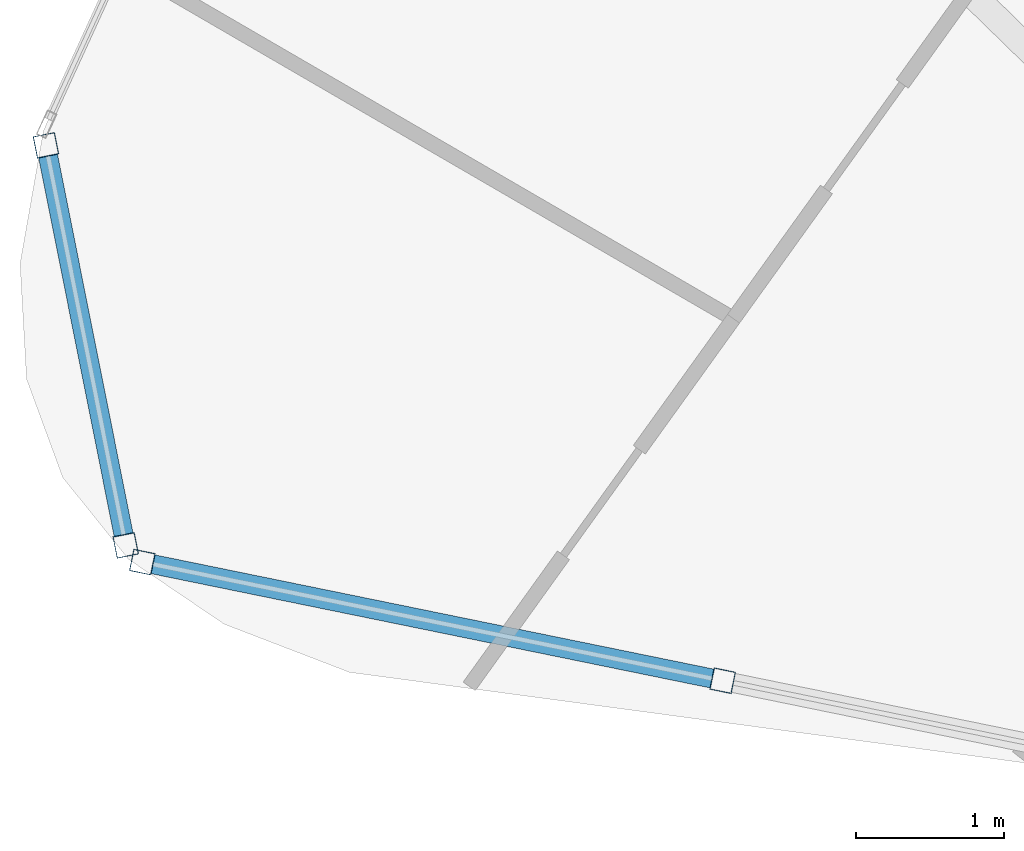
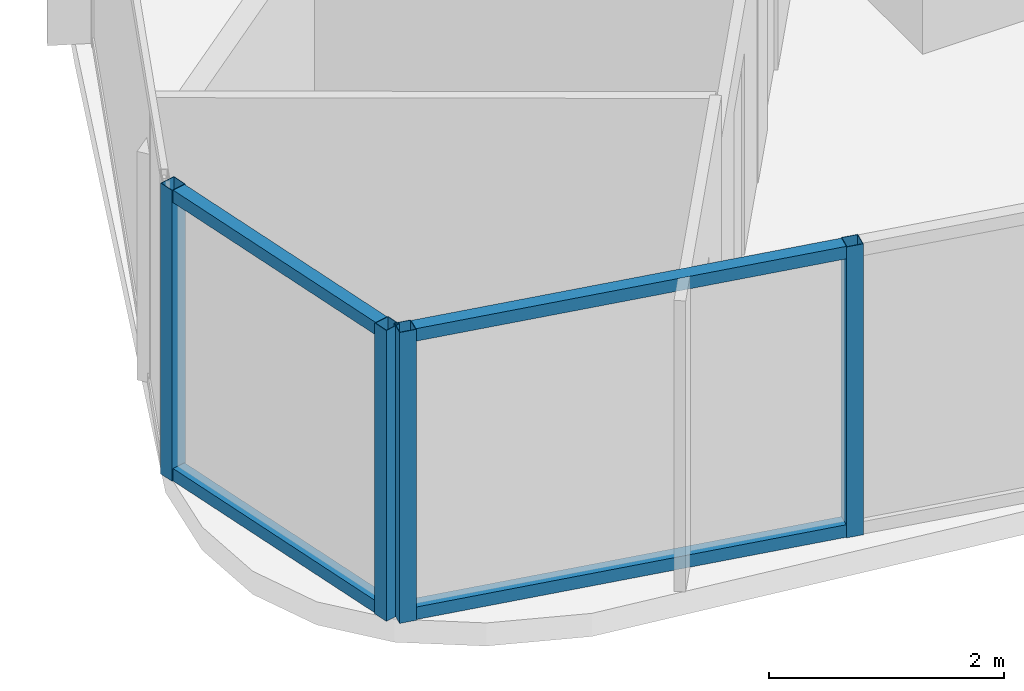
# One storey, part 2 of 38: 8 members, 2 elements without a shape of their own.
"""IFC4 building model written with IfcOpenShell, lengths in metres."""

from ifc_helpers import new_model, si_unit, direction, frame, origin, origin_2d, place, context, subcontext, project, spatial, hollow_rectangle, extrude, material, layer, layer_set, material_profile, profile_set, type_object, element, aggregate, save


model = new_model("IFC4")

# Units and contexts
model_context = context("Model", 3, precision=1e-05, world=origin(), true_north=direction((0.0, 1.0)))
body_context = subcontext(model_context, "Body", "Model", "MODEL_VIEW")
ifc_project = project(units=[si_unit("LENGTHUNIT", "METRE"), si_unit("AREAUNIT", "SQUARE_METRE"), si_unit("VOLUMEUNIT", "CUBIC_METRE"), si_unit("PLANEANGLEUNIT", "RADIAN"), si_unit("MASSUNIT", "GRAM", prefix="KILO")], contexts=[model_context])

# Site, building, storey
site_placement = place(None, origin())
site = spatial("IfcSite", under=ifc_project, at=site_placement, CompositionType="ELEMENT")
building_placement = place(site_placement, origin())
building = spatial("IfcBuilding", under=site, at=building_placement, Name="Orvanel Arch Residences", CompositionType="ELEMENT")
storey_placement = place(building_placement, frame((0.0, 0.0, 56.60009765625)))
storey = spatial("IfcBuildingStorey", under=building, at=storey_placement, Name="L15", CompositionType="ELEMENT", Elevation=56.60009765625)

# Curtain wall, members
ifc_material = material(Name="Bronze-anodised aluminium AA6063-T6", Category="aluminium")
ifc_layer = layer(ifc_material, 0.18994140625)
ifc_layer_set = layer_set([ifc_layer], Name="Bronze-anodised aluminium AA6063-T6")
curtain_wall_type = type_object("IfcCurtainWallType", Name="CW5-CRN-SYS", PredefinedType="NOTDEFINED", material=ifc_layer_set)
curtain_wall_1_placement = place(storey_placement, origin())
curtain_wall_1 = element("IfcCurtainWall", 1, at=curtain_wall_1_placement, inside=storey, type_object=curtain_wall_type, Name="L15 CW5-CRN-SYS Unitised Curtain Wall", PredefinedType="NOTDEFINED")
ifc_material_profile_1 = material_profile(ifc_material, hollow_rectangle(XDim=0.14990234375, YDim=0.14990234375, WallThickness=0.0048828125, at=origin_2d()), Name="ALU150x150x5")
ifc_profile_set_1 = profile_set([ifc_material_profile_1], Name="Bronze-anodised aluminium AA6063-T6")
member_type_1 = type_object("IfcMemberType", Name="MUL-150x150", PredefinedType="MULLION", material=ifc_profile_set_1)
member_1_placement = place(storey_placement, frame((4.765625, 7.345458984375, 0.0), z_axis=(0.0, 0.0, 1.0), x_axis=(0.980699441687, 0.19552136731, 0.0)))
member_1 = element("IfcMember", 2, at=member_1_placement, type_object=member_type_1, Name="CW-S5 mullion 1", PredefinedType="MULLION", context=body_context, shape_type="SweptSolid", body=[
    extrude(hollow_rectangle(XDim=0.14990234375, YDim=0.14990234375, WallThickness=0.0048828125, at=origin_2d()), origin(), (0.0, 0.0, 1.0), 3.02001953125),
])
member_2_placement = place(storey_placement, frame((5.305419921875, 4.638671875, 0.0), z_axis=(0.0, 0.0, 1.0), x_axis=(0.980699441687, 0.19552136731, 0.0)))
member_2 = element("IfcMember", 3, at=member_2_placement, type_object=member_type_1, Name="CW-S5 mullion 2", PredefinedType="MULLION", context=body_context, shape_type="SweptSolid", body=[
    extrude(hollow_rectangle(XDim=0.14990234375, YDim=0.14990234375, WallThickness=0.0048828125, at=origin_2d()), origin(), (0.0, 0.0, 1.0), 3.02001953125),
])

curtain_wall_2_placement = place(storey_placement, origin())
curtain_wall_2 = element("IfcCurtainWall", 4, at=curtain_wall_2_placement, inside=storey, type_object=curtain_wall_type, Name="L15 CW5-CRN-SYS Unitised Curtain Wall", PredefinedType="NOTDEFINED")
member_3_placement = place(storey_placement, frame((5.41748046875, 4.52587890625, 0.0), z_axis=(0.0, 0.0, 1.0), x_axis=(0.200235937609, 0.979747706958, 0.0)))
member_3 = element("IfcMember", 5, at=member_3_placement, type_object=member_type_1, Name="CW-S5 mullion 1", PredefinedType="MULLION", context=body_context, shape_type="SweptSolid", body=[
    extrude(hollow_rectangle(XDim=0.14990234375, YDim=0.14990234375, WallThickness=0.0048828125, at=origin_2d()), origin(), (0.0, 0.0, 1.0), 3.02001953125),
])
member_4_placement = place(storey_placement, frame((9.343994140625, 3.723388671875, 0.0), z_axis=(0.0, 0.0, 1.0), x_axis=(0.200235937609, 0.979747706958, 0.0)))
member_4 = element("IfcMember", 6, at=member_4_placement, type_object=member_type_1, Name="CW-S5 mullion 2", PredefinedType="MULLION", context=body_context, shape_type="SweptSolid", body=[
    extrude(hollow_rectangle(XDim=0.14990234375, YDim=0.14990234375, WallThickness=0.0048828125, at=origin_2d()), origin(), (0.0, 0.0, 1.0), 3.02001953125),
])

# Member
ifc_material_profile_2 = material_profile(ifc_material, hollow_rectangle(XDim=0.1298828125, YDim=0.1298828125, WallThickness=0.00439453125, at=origin_2d()), Name="ALU130x130x4.5")
ifc_profile_set_2 = profile_set([ifc_material_profile_2], Name="Bronze-anodised aluminium AA6063-T6")
member_type_2 = type_object("IfcMemberType", Name="TRN-130x130", PredefinedType="USERDEFINED", material=ifc_profile_set_2)
member_5_placement = place(storey_placement, frame((4.7802734375, 7.27197265625, 0.06494140625), z_axis=(0.195576494764, -0.980688449354, 0.0), x_axis=(0.980688449354, 0.195576494764, 0.0)))
member_5 = element("IfcMember", 7, at=member_5_placement, type_object=member_type_2, Name="CW-S5 transom 1.1", ObjectType="TRANSOM", PredefinedType="USERDEFINED", context=body_context, shape_type="SweptSolid", body=[
    extrude(hollow_rectangle(XDim=0.1298828125, YDim=0.1298828125, WallThickness=0.00439453125, at=origin_2d()), origin(), (0.0, 0.0, 1.0), 2.610107421875),
])

member_6_placement = place(storey_placement, frame((4.7802734375, 7.27197265625, 2.954833984375), z_axis=(0.195576494764, -0.980688449354, 0.0), x_axis=(0.980688449354, 0.195576494764, 0.0)))
member_6 = element("IfcMember", 8, at=member_6_placement, type_object=member_type_2, Name="CW-S5 transom 1.2", ObjectType="TRANSOM", PredefinedType="USERDEFINED", context=body_context, shape_type="SweptSolid", body=[
    extrude(hollow_rectangle(XDim=0.1298828125, YDim=0.1298828125, WallThickness=0.00439453125, at=origin_2d()), origin(), (0.0, 0.0, 1.0), 2.610107421875),
])

aggregate(curtain_wall_1, [member_1, member_2, member_5, member_6])

member_7_placement = place(storey_placement, frame((5.490966796875, 4.510986328125, 0.06494140625), z_axis=(0.97974683009, -0.200240228048, 0.0), x_axis=(0.200240228048, 0.97974683009, 0.0)))
member_7 = element("IfcMember", 9, at=member_7_placement, type_object=member_type_2, Name="CW-S5 transom 1.1", ObjectType="TRANSOM", PredefinedType="USERDEFINED", context=body_context, shape_type="SweptSolid", body=[
    extrude(hollow_rectangle(XDim=0.1298828125, YDim=0.1298828125, WallThickness=0.00439453125, at=origin_2d()), origin(), (0.0, 0.0, 1.0), 3.857666015625),
])

member_8_placement = place(storey_placement, frame((5.490966796875, 4.510986328125, 2.954833984375), z_axis=(0.97974683009, -0.200240228048, 0.0), x_axis=(0.200240228048, 0.97974683009, 0.0)))
member_8 = element("IfcMember", 10, at=member_8_placement, type_object=member_type_2, Name="CW-S5 transom 1.2", ObjectType="TRANSOM", PredefinedType="USERDEFINED", context=body_context, shape_type="SweptSolid", body=[
    extrude(hollow_rectangle(XDim=0.1298828125, YDim=0.1298828125, WallThickness=0.00439453125, at=origin_2d()), origin(), (0.0, 0.0, 1.0), 3.857666015625),
])

aggregate(curtain_wall_2, [member_3, member_4, member_7, member_8])

save(model, "model.ifc")
